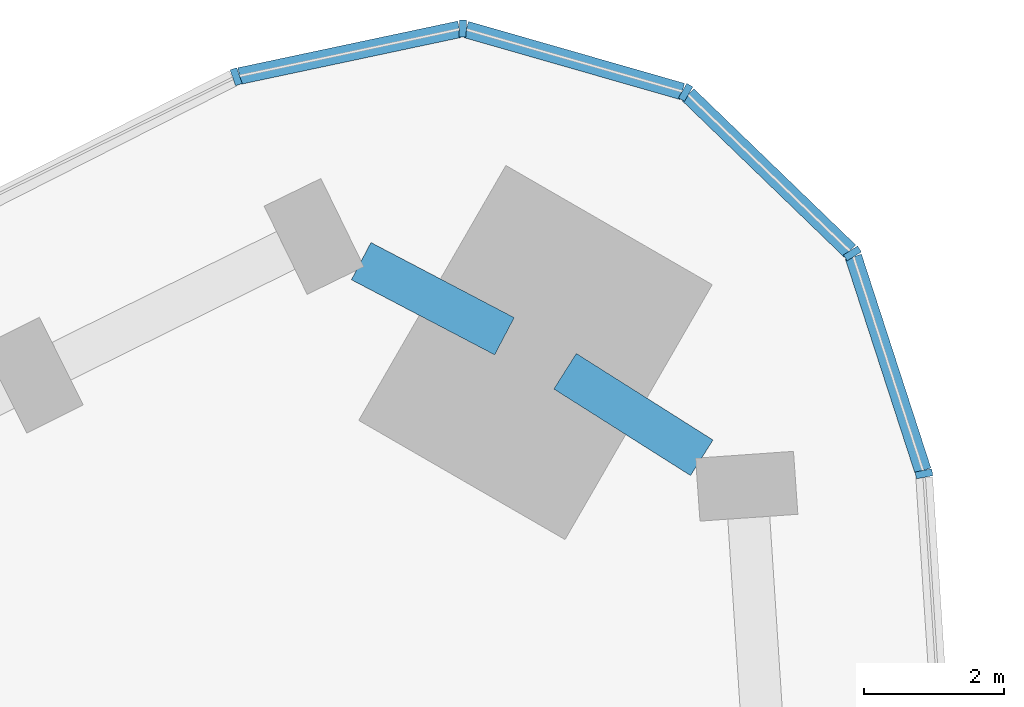
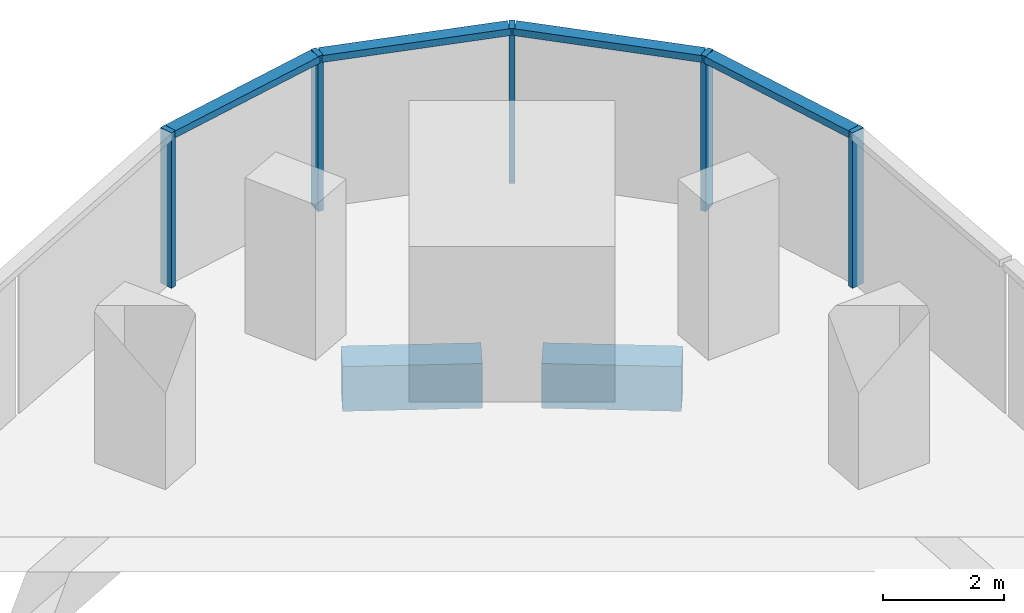
# One storey, part 6 of 13: 9 members, 2 beams, 2 elements without a shape of their own.
"""IFC4 building model written with IfcOpenShell, lengths in metres."""

import ifcopenshell
import ifcopenshell.guid

model = None  # the IFC model being written
_history = None  # IfcOwnerHistory: only IFC2X3 demands one
_inside = {}  # id of a spatial element -> (the spatial element, [elements in it])
_under = {}  # id of a project, library or spatial element -> (it, [spatial elements below it])
_declared = {}  # id of a project -> (the project, [libraries it declares])
_typed = {}  # id of a type object -> (the type object, [elements of that type])
_made_of = {}  # id of a material, layer set ... -> (it, [elements and type objects made of it])


def new_model(schema):
    """Start an empty IFC model of exactly this schema.

    Asked for "IFC4X3", IfcOpenShell would pick the latest addendum, in which some entities
    have other attributes; the version numbers below select the first issue.
    IFC2X3 requires an IfcOwnerHistory on every rooted entity: one is made here for all.
    """
    global model, _history
    if schema == "IFC4X3":
        model = ifcopenshell.file(schema_version=(4, 3, 0, 0))
    else:
        model = ifcopenshell.file(schema=schema)
    _inside.clear()
    _under.clear()
    _declared.clear()
    _typed.clear()
    _made_of.clear()
    _history = None
    if model.schema == "IFC2X3":
        org = make("IfcOrganization", Name="unknown")
        user = make(
            "IfcPersonAndOrganization",
            ThePerson=make("IfcPerson", FamilyName="unknown"),
            TheOrganization=org,
        )
        app = make(
            "IfcApplication",
            ApplicationDeveloper=org,
            Version="unknown",
            ApplicationFullName="unknown",
            ApplicationIdentifier="unknown",
        )
        _history = make(
            "IfcOwnerHistory",
            OwningUser=user,
            OwningApplication=app,
            ChangeAction="ADDED",
            CreationDate=0,
        )
    return model


def make(cls, **values):
    """One entity of the class cls with the attributes given. An attribute that is None is left unset."""
    return model.create_entity(
        cls, **{name: value for name, value in values.items() if value is not None}
    )


def rooted(cls, **values):
    """An entity with a GlobalId (a new one), such as an element, a storey or a relation."""
    return make(cls, GlobalId=ifcopenshell.guid.new(), OwnerHistory=_history, **values)


def si_unit(unit_type, name, prefix=None):
    """IfcSIUnit, for example si_unit("LENGTHUNIT", "METRE", prefix="MILLI")."""
    return make("IfcSIUnit", UnitType=unit_type, Prefix=prefix, Name=name)


def assignment(units):
    """IfcUnitAssignment: the units of a project."""
    return None if units is None else make("IfcUnitAssignment", Units=units)


def point(xyz):
    """IfcCartesianPoint."""
    return None if xyz is None else make("IfcCartesianPoint", Coordinates=xyz)


def direction(xyz):
    """IfcDirection."""
    return None if xyz is None else make("IfcDirection", DirectionRatios=xyz)


def frame(location, z_axis=None, x_axis=None):
    """IfcAxis2Placement3D, a coordinate frame: its origin and axes. An axis left out is left unset."""
    return make(
        "IfcAxis2Placement3D",
        Location=point(location),
        Axis=direction(z_axis),
        RefDirection=direction(x_axis),
    )


def frame_2d(location, x_axis=None):
    """IfcAxis2Placement2D, a coordinate frame in the plane: its origin and x axis."""
    return make(
        "IfcAxis2Placement2D", Location=point(location), RefDirection=direction(x_axis)
    )


def origin():
    """The frame at (0, 0, 0) with its axes left unset."""
    return frame((0.0, 0.0, 0.0))


def origin_2d():
    """The frame at (0, 0) in the plane with its x axis left unset."""
    return frame_2d((0.0, 0.0))


def place(relative_to, where):
    """IfcLocalPlacement: puts the frame where relative to a parent placement (None: the world)."""
    return make(
        "IfcLocalPlacement", PlacementRelTo=relative_to, RelativePlacement=where
    )


def context(
    kind, dimensions, precision=None, world=None, true_north=None, identifier=None
):
    """IfcGeometricRepresentationContext, for example the 3D "Model" context."""
    return make(
        "IfcGeometricRepresentationContext",
        ContextIdentifier=identifier,
        ContextType=kind,
        CoordinateSpaceDimension=dimensions,
        Precision=precision,
        WorldCoordinateSystem=world,
        TrueNorth=true_north,
    )


def subcontext(parent, identifier, kind, view, scale=None):
    """IfcGeometricRepresentationSubContext, for example "Body" below "Model"."""
    return make(
        "IfcGeometricRepresentationSubContext",
        ContextIdentifier=identifier,
        ContextType=kind,
        ParentContext=parent,
        TargetScale=scale,
        TargetView=view,
    )


def project(units=None, contexts=None):
    """IfcProject with its units and contexts."""
    return rooted(
        "IfcProject",
        Name="project",
        RepresentationContexts=contexts,
        UnitsInContext=assignment(units),
    )


def spatial(cls, under=None, at=None, **own):
    """A site, building, storey or space (cls), placed at a placement, below another one or the project."""
    s = rooted(cls, ObjectPlacement=at, **own)
    if under is not None:
        _under.setdefault(under.id(), (under, []))[1].append(s)
    return s


def profile(cls, at=None, kind="AREA", **sizes):
    """A parametric profile (cls). Its sizes go by their IFC names, for example OverallWidth=200.0."""
    return make(cls, ProfileType=kind, Position=at, **sizes)


def rectangle(**sizes):
    """IfcRectangleProfileDef."""
    return profile("IfcRectangleProfileDef", **sizes)


def extrude(swept, where, along, depth):
    """IfcExtrudedAreaSolid: the profile swept, set in the frame where, extruded along a direction by depth."""
    return make(
        "IfcExtrudedAreaSolid",
        SweptArea=swept,
        Position=where,
        ExtrudedDirection=direction(along),
        Depth=depth,
    )


def shape(context_of_items, identifier, shape_type, items):
    """IfcShapeRepresentation: the items that make up one representation, for example the "Body"."""
    return make(
        "IfcShapeRepresentation",
        ContextOfItems=context_of_items,
        RepresentationIdentifier=identifier,
        RepresentationType=shape_type,
        Items=items,
    )


def material(Name=None, Category=None):
    """IfcMaterial."""
    return make("IfcMaterial", Name=Name, Category=Category)


def material_profile(
    of_material, cross_section, Name=None, Category=None, Priority=None
):
    """IfcMaterialProfile: a cross section and its material."""
    return make(
        "IfcMaterialProfile",
        Name=Name,
        Material=of_material,
        Profile=cross_section,
        Priority=Priority,
        Category=Category,
    )


def profile_set(profiles, Name=None, composite=None):
    """IfcMaterialProfileSet."""
    return make(
        "IfcMaterialProfileSet",
        Name=Name,
        MaterialProfiles=profiles,
        CompositeProfile=composite,
    )


def made_of(thing, what):
    """Note that an element or type object is made of a material, layer set ...; save() writes the relation."""
    if what is not None:
        _made_of.setdefault(what.id(), (what, []))[1].append(thing)
    return thing


def type_object(cls, material=None, **own):
    """A type object (cls), such as IfcWallType, which elements share."""
    return made_of(rooted(cls, **own), material)


def element(
    cls,
    number,
    at=None,
    inside=None,
    cuts=None,
    type_object=None,
    material=None,
    context=None,
    identifier="Body",
    shape_type=None,
    held_by="IfcProductDefinitionShape",
    body=None,
    shapes=None,
    **own,
):
    """One element of the class cls, such as IfcWall. Its Tag is "e" and its number.

    at: its placement. inside: the storey or other place that contains it. cuts: it is an
    opening in that element (IfcRelVoidsElement). A single representation is given by context,
    identifier, shape_type and body (its items); several are given by shapes. held_by: the class
    of the entity that holds the representations. save() writes the other relations.
    """
    e = rooted(cls, Tag="e%d" % number, ObjectPlacement=at, **own)
    if body is not None:
        shapes = [shape(context, identifier, shape_type, body)]
    if shapes is not None:
        e.Representation = make(held_by, Representations=shapes)
    if inside is not None:
        _inside.setdefault(inside.id(), (inside, []))[1].append(e)
    if cuts is not None:
        rooted(
            "IfcRelVoidsElement", RelatingBuildingElement=cuts, RelatedOpeningElement=e
        )
    if type_object is not None:
        _typed.setdefault(type_object.id(), (type_object, []))[1].append(e)
    return made_of(e, material)


def aggregate(whole, parts):
    """IfcRelAggregates: a whole, such as a stair, and the parts it consists of."""
    return rooted("IfcRelAggregates", RelatingObject=whole, RelatedObjects=parts)


def save(model, path):
    """Write the relations noted so far, then the file.

    IfcRelAggregates (storeys below a building ...), IfcRelContainedInSpatialStructure (elements
    in a storey), IfcRelDefinesByType, IfcRelAssociatesMaterial and IfcRelDeclares: one each for
    every whole, place, type object, material and project.
    """
    for whole, parts in _under.values():
        aggregate(whole, parts)
    for where, things in _inside.values():
        rooted(
            "IfcRelContainedInSpatialStructure",
            RelatedElements=things,
            RelatingStructure=where,
        )
    for kind, things in _typed.values():
        rooted("IfcRelDefinesByType", RelatedObjects=things, RelatingType=kind)
    for what, things in _made_of.values():
        rooted("IfcRelAssociatesMaterial", RelatedObjects=things, RelatingMaterial=what)
    for by, libraries in _declared.values():
        rooted("IfcRelDeclares", RelatingContext=by, RelatedDefinitions=libraries)
    model.write(path)


model = new_model("IFC4")

# Units and contexts
model_context = context("Model", 3, precision=1e-05, world=origin(), true_north=direction((0.0, 1.0)))
body_context = subcontext(model_context, "Body", "Model", "MODEL_VIEW")
ifc_project = project(units=[si_unit("LENGTHUNIT", "METRE"), si_unit("AREAUNIT", "SQUARE_METRE"), si_unit("VOLUMEUNIT", "CUBIC_METRE"), si_unit("PLANEANGLEUNIT", "RADIAN"), si_unit("MASSUNIT", "GRAM", prefix="KILO")], contexts=[model_context])

# Site, building, storey
site_placement = place(None, origin())
site = spatial("IfcSite", under=ifc_project, at=site_placement, CompositionType="ELEMENT")
building_placement = place(site_placement, origin())
building = spatial("IfcBuilding", under=site, at=building_placement, Name="Tamra Quay Hotel Tower", CompositionType="ELEMENT")
storey_placement = place(building_placement, frame((0.0, 0.0, 60.199951171875)))
storey = spatial("IfcBuildingStorey", under=building, at=storey_placement, Name="L13", CompositionType="ELEMENT", Elevation=60.199951171875)

# Curtain wall, members
ifc_material_1 = material(Name="Aluminium 6063 anodised dark grey", Category="aluminium")
curtain_wall_type_1 = type_object("IfcCurtainWallType", Name="CW1 CURTAIN WALL", PredefinedType="NOTDEFINED", material=ifc_material_1)
curtain_wall_1_placement = place(storey_placement, origin())
curtain_wall_1 = element("IfcCurtainWall", 1, at=curtain_wall_1_placement, inside=storey, type_object=curtain_wall_type_1, Name="CW1 east face L13", PredefinedType="NOTDEFINED")
ifc_material_profile_1 = material_profile(ifc_material_1, rectangle(XDim=0.239990234375, YDim=0.10009765625, at=origin_2d()), Name="MULLION 100X240")
ifc_profile_set_1 = profile_set([ifc_material_profile_1], Name="Aluminium 6063 anodised dark grey")
member_type_1 = type_object("IfcMemberType", Name="MULLION CW1 Z1", PredefinedType="MULLION", material=ifc_profile_set_1)
member_1_placement = place(storey_placement, frame((23.40869140625, 29.2109375, 0.0), z_axis=(0.0, 0.0, 1.0), x_axis=(0.982094529733, 0.188388785943, 0.0)))
member_1 = element("IfcMember", 2, at=member_1_placement, type_object=member_type_1, Name="CW1 mullion L13.E.14", PredefinedType="MULLION", context=body_context, shape_type="SweptSolid", body=[
    extrude(rectangle(XDim=0.239990234375, YDim=0.10009765625, at=origin_2d()), origin(), (0.0, 0.0, 1.0), 3.125),
])
member_2_placement = place(storey_placement, frame((22.386474609375, 32.356201171875, 0.0), z_axis=(0.0, 0.0, 1.0), x_axis=(0.848039345356, 0.529933268183, 0.0)))
member_2 = element("IfcMember", 3, at=member_2_placement, type_object=member_type_1, Name="CW1 mullion L13.E.15", PredefinedType="MULLION", context=body_context, shape_type="SweptSolid", body=[
    extrude(rectangle(XDim=0.239990234375, YDim=0.10009765625, at=origin_2d()), origin(), (0.0, 0.0, 1.0), 3.125),
])
member_3_placement = place(storey_placement, frame((20.00732421875, 34.65380859375, 0.0), z_axis=(0.0, 0.0, 1.0), x_axis=(0.5, 0.866025403784, 0.0)))
member_3 = element("IfcMember", 4, at=member_3_placement, type_object=member_type_1, Name="CW1 mullion L13.E.16", PredefinedType="MULLION", context=body_context, shape_type="SweptSolid", body=[
    extrude(rectangle(XDim=0.239990234375, YDim=0.10009765625, at=origin_2d()), origin(), (0.0, 0.0, 1.0), 3.125),
])
member_4_placement = place(storey_placement, frame((16.828125, 35.5654296875, 0.0), z_axis=(0.0, 0.0, 1.0), x_axis=(0.034915999879, 0.999390250579, 0.0)))
member_4 = element("IfcMember", 5, at=member_4_placement, type_object=member_type_1, Name="CW1 mullion L13.E.17", PredefinedType="MULLION", context=body_context, shape_type="SweptSolid", body=[
    extrude(rectangle(XDim=0.239990234375, YDim=0.10009765625, at=origin_2d()), origin(), (0.0, 0.0, 1.0), 3.125),
])

# Curtain wall, member
curtain_wall_type_2 = type_object("IfcCurtainWallType", Name="CW2 CURTAIN WALL", PredefinedType="NOTDEFINED", material=ifc_material_1)
curtain_wall_2_placement = place(storey_placement, origin())
curtain_wall_2 = element("IfcCurtainWall", 6, at=curtain_wall_2_placement, inside=storey, type_object=curtain_wall_type_2, Name="CW2 north-west face L13", PredefinedType="NOTDEFINED")
ifc_material_profile_2 = material_profile(ifc_material_1, rectangle(XDim=0.239990234375, YDim=0.10009765625, at=origin_2d()), Name="MULLION 100X240")
ifc_profile_set_2 = profile_set([ifc_material_profile_2], Name="Aluminium 6063 anodised dark grey")
member_type_2 = type_object("IfcMemberType", Name="MULLION CW2 Z1", PredefinedType="MULLION", material=ifc_profile_set_2)
member_5_placement = place(storey_placement, frame((13.593017578125, 34.8779296875, 0.0), z_axis=(0.0, 0.0, 1.0), x_axis=(-0.327897790452, 0.944713204638, 0.0)))
member_5 = element("IfcMember", 7, at=member_5_placement, type_object=member_type_2, Name="CW2 mullion L13.NW.1", PredefinedType="MULLION", context=body_context, shape_type="SweptSolid", body=[
    extrude(rectangle(XDim=0.239990234375, YDim=0.10009765625, at=origin_2d()), origin(), (0.0, 0.0, 1.0), 3.125),
])
aggregate(curtain_wall_2, [member_5])

# Beams
ifc_material_2 = material(Name="Concrete M60", Category="concrete")
ifc_material_profile_3 = material_profile(ifc_material_2, rectangle(XDim=0.60009765625, YDim=0.89990234375, at=origin_2d()), Name="SPANDREL BEAM RC 600x900")
ifc_profile_set_3 = profile_set([ifc_material_profile_3], Name="Concrete M60")
beam_type = type_object("IfcBeamType", Name="SPANDREL BEAM RC 600x900", PredefinedType="SPANDREL", material=ifc_profile_set_3)
beam_1_placement = place(storey_placement, frame((20.2373046875, 29.440185546875, -0.925048828125), z_axis=(-0.844978382684, 0.53480046073, 0.0), x_axis=(-0.53480046073, -0.844978382684, 0.0)))
element("IfcBeam", 8, at=beam_1_placement, inside=storey, type_object=beam_type, Name="BM-SP1-013-L13", PredefinedType="SPANDREL", context=body_context, shape_type="SweptSolid", body=[
    extrude(rectangle(XDim=0.60009765625, YDim=0.89990234375, at=origin_2d()), origin(), (0.0, 0.0, 1.0), 2.30859375),
])
beam_2_placement = place(storey_placement, frame((17.421630859375, 31.17431640625, -0.925048828125), z_axis=(-0.885674154565, 0.464307324879, 0.0), x_axis=(-0.464307324879, -0.885674154565, 0.0)))
element("IfcBeam", 9, at=beam_2_placement, inside=storey, type_object=beam_type, Name="BM-SP1-014-L13", PredefinedType="SPANDREL", context=body_context, shape_type="SweptSolid", body=[
    extrude(rectangle(XDim=0.60009765625, YDim=0.89990234375, at=origin_2d()), origin(), (0.0, 0.0, 1.0), 2.308349609375),
])

# Member
ifc_material_profile_4 = material_profile(ifc_material_1, rectangle(XDim=0.239990234375, YDim=0.139892578125, at=origin_2d()), Name="TRANSOM 240X140")
ifc_profile_set_4 = profile_set([ifc_material_profile_4], Name="Aluminium 6063 anodised dark grey")
member_type_3 = type_object("IfcMemberType", Name="TRANSOM CW1 Z1", PredefinedType="USERDEFINED", material=ifc_profile_set_4)
member_6_placement = place(storey_placement, frame((23.39306640625, 29.25830078125, 3.054931640625), z_axis=(-0.309025833938, 0.951053644102, 0.0), x_axis=(-0.951053644102, -0.309025833938, 0.0)))
member_6 = element("IfcMember", 10, at=member_6_placement, type_object=member_type_3, Name="CW1 transom L13.E.14", ObjectType="TRANSOM", PredefinedType="USERDEFINED", context=body_context, shape_type="SweptSolid", body=[
    extrude(rectangle(XDim=0.239990234375, YDim=0.139892578125, at=origin_2d()), origin(), (0.0, 0.0, 1.0), 3.20751953125),
])

member_7_placement = place(storey_placement, frame((22.3505859375, 32.39111328125, 3.054931640625), z_axis=(-0.719405395398, 0.694590438367, 0.0), x_axis=(-0.694590438367, -0.719405395398, 0.0)))
member_7 = element("IfcMember", 11, at=member_7_placement, type_object=member_type_3, Name="CW1 transom L13.E.15", ObjectType="TRANSOM", PredefinedType="USERDEFINED", context=body_context, shape_type="SweptSolid", body=[
    extrude(rectangle(XDim=0.239990234375, YDim=0.139892578125, at=origin_2d()), origin(), (0.0, 0.0, 1.0), 3.207275390625),
])

member_8_placement = place(storey_placement, frame((19.959228515625, 34.66748046875, 3.054931640625), z_axis=(-0.961262114071, 0.275635897612, 0.0), x_axis=(-0.275635897612, -0.961262114071, 0.0)))
member_8 = element("IfcMember", 12, at=member_8_placement, type_object=member_type_3, Name="CW1 transom L13.E.16", ObjectType="TRANSOM", PredefinedType="USERDEFINED", context=body_context, shape_type="SweptSolid", body=[
    extrude(rectangle(XDim=0.239990234375, YDim=0.139892578125, at=origin_2d()), origin(), (0.0, 0.0, 1.0), 3.207275390625),
])

member_9_placement = place(storey_placement, frame((16.779296875, 35.554931640625, 3.054931640625), z_axis=(-0.978156336052, -0.20787059013, 0.0), x_axis=(0.20787059013, -0.978156336052, 0.0)))
member_9 = element("IfcMember", 13, at=member_9_placement, type_object=member_type_3, Name="CW1 transom L13.E.17", ObjectType="TRANSOM", PredefinedType="USERDEFINED", context=body_context, shape_type="SweptSolid", body=[
    extrude(rectangle(XDim=0.239990234375, YDim=0.139892578125, at=origin_2d()), origin(), (0.0, 0.0, 1.0), 3.20751953125),
])

aggregate(curtain_wall_1, [member_1, member_6, member_2, member_7, member_3, member_8, member_4, member_9])

save(model, "model.ifc")
